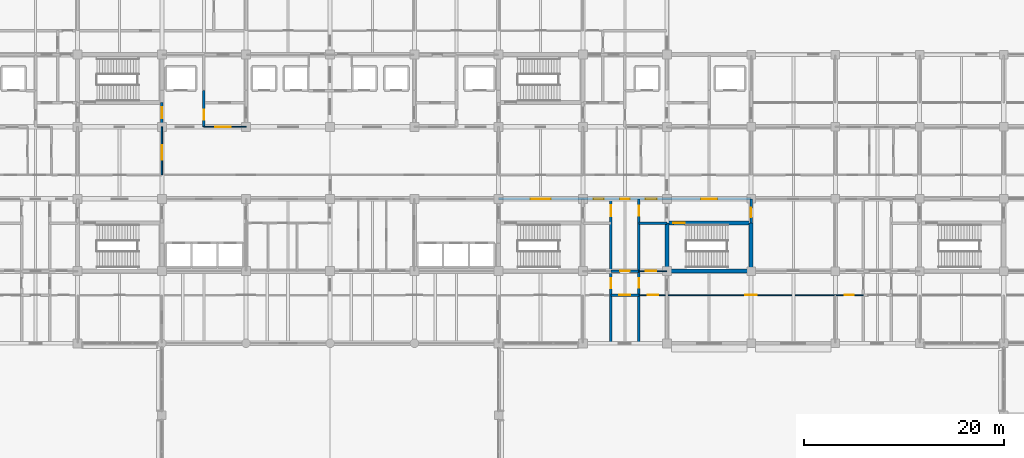
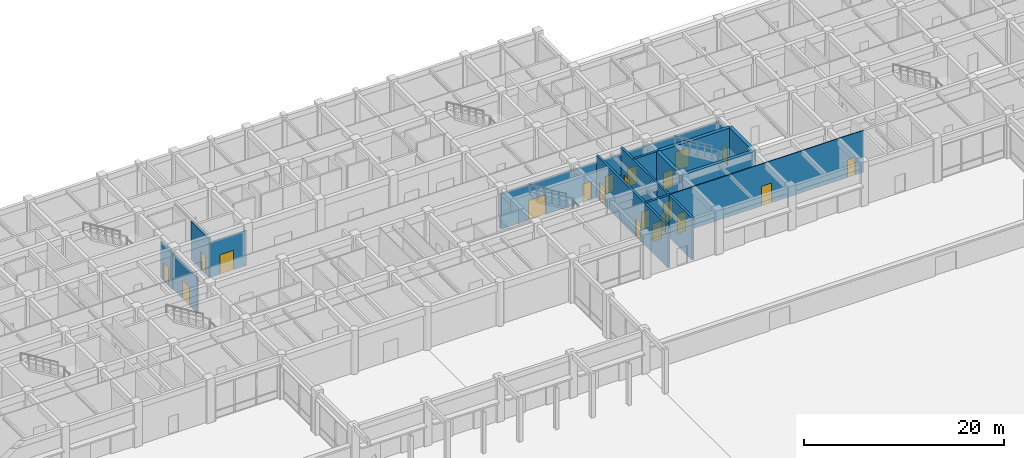
# One storey, part 49 of 73: 21 doors, 17 walls, 21 openings.
"""IFC4 building model written with IfcOpenShell, lengths in metres."""

from ifc_helpers import new_model, si_unit, direction, frame, frame_2d, origin, place, context, subcontext, project, spatial, rectangle, extrude, material, layer, layer_set, type_object, element, fill, save


model = new_model("IFC4")

# Units and contexts
model_context = context("Model", 3, precision=1e-05, world=origin(), true_north=direction((0.0, 1.0)))
body_context = subcontext(model_context, "Body", "Model", "MODEL_VIEW")
ifc_project = project(units=[si_unit("LENGTHUNIT", "METRE"), si_unit("AREAUNIT", "SQUARE_METRE"), si_unit("VOLUMEUNIT", "CUBIC_METRE"), si_unit("PLANEANGLEUNIT", "RADIAN"), si_unit("MASSUNIT", "GRAM", prefix="KILO")], contexts=[model_context])

# Site, building, storey
site_placement = place(None, origin())
site = spatial("IfcSite", under=ifc_project, at=site_placement, CompositionType="ELEMENT")
building_placement = place(site_placement, origin())
building = spatial("IfcBuilding", under=site, at=building_placement, Name="Chengyuan Square Courthouse", CompositionType="ELEMENT")
storey_placement = place(building_placement, origin())
storey = spatial("IfcBuildingStorey", under=building, at=storey_placement, Name="L01", CompositionType="ELEMENT", Elevation=0.0)

# Wall, opening, door
ifc_material_1 = material(Name="Concrete C40", Category="concrete")
ifc_layer_1 = layer(ifc_material_1, 0.25)
ifc_layer_set_1 = layer_set([ifc_layer_1], Name="Concrete C40")
wall_type_1 = type_object("IfcWallType", Name="WL-FW1", PredefinedType="STANDARD", material=ifc_layer_set_1)
wall_1_placement = place(storey_placement, frame((112.0, 84.0, 0.0), z_axis=(0.0, 0.0, 1.0), x_axis=(1.0, 0.0, 0.0)))
wall_1 = element("IfcWall", 1, at=wall_1_placement, inside=storey, type_object=wall_type_1, Name="Interior Wall WL-L01-I676", PredefinedType="STANDARD", context=body_context, shape_type="SweptSolid", body=[
    extrude(rectangle(XDim=2.800048828125, YDim=0.25, at=frame_2d((1.39990234375, 0.0))), origin(), (0.0, 0.0, 1.0), 5.1201171875),
])
opening_1_placement = place(wall_1_placement, frame((0.85009765625, 0.0, 0.0)))
opening_1 = element("IfcOpeningElement", 2, at=opening_1_placement, cuts=wall_1, Name="Opening DR-929", PredefinedType="OPENING", context=body_context, shape_type="SweptSolid", body=[
    extrude(rectangle(XDim=1.10009765625, YDim=2.199951171875, at=frame_2d((0.550048828125, 1.10009765625))), frame((0.0, 0.136962890625, 0.0), z_axis=(0.0, -1.0, 0.0), x_axis=(1.0, 0.0, 0.0)), (0.0, 0.0, 1.0), 0.27392578125),
])
ifc_material_2 = material(Name="Steel Q235B Fire Door", Category="steel")
door_type_1 = type_object("IfcDoorType", Name="DT-10", OperationType="NOTDEFINED", PredefinedType="DOOR", material=ifc_material_2)
door_1_placement = place(opening_1_placement, origin())
door_1 = element("IfcDoor", 3, at=door_1_placement, inside=storey, type_object=door_type_1, Name="Interior Door DR-929", OperationType="SINGLE_SWING_RIGHT", OverallHeight=2.199951171875, OverallWidth=1.10009765625, PredefinedType="DOOR", context=body_context, shape_type="SweptSolid", body=[
    extrude(rectangle(XDim=1.10009765625, YDim=2.199951171875, at=frame_2d((0.550048828125, 1.10009765625))), frame((0.0, 0.02490234375, 0.0), z_axis=(0.0, -1.0, 0.0), x_axis=(1.0, 0.0, 0.0)), (0.0, 0.0, 1.0), 0.050048828125),
])
fill(opening_1, door_1)

wall_2_placement = place(storey_placement, frame((112.0, 86.39990234375, 0.0), z_axis=(0.0, 0.0, 1.0), x_axis=(1.0, 0.0, 0.0)))
wall_2 = element("IfcWall", 4, at=wall_2_placement, inside=storey, type_object=wall_type_1, Name="Interior Wall WL-L01-I696", PredefinedType="STANDARD", context=body_context, shape_type="SweptSolid", body=[
    extrude(rectangle(XDim=2.800048828125, YDim=0.25, at=frame_2d((1.39990234375, 0.0))), origin(), (0.0, 0.0, 1.0), 4.27001953125),
])
opening_2_placement = place(wall_2_placement, frame((0.925048828125, 0.0, 0.0)))
opening_2 = element("IfcOpeningElement", 5, at=opening_2_placement, cuts=wall_2, Name="Opening DR-880", PredefinedType="OPENING", context=body_context, shape_type="SweptSolid", body=[
    extrude(rectangle(XDim=0.949951171875, YDim=2.14990234375, at=frame_2d((0.47509765625, 1.074951171875))), frame((0.0, 0.136962890625, 0.0), z_axis=(0.0, -1.0, 0.0), x_axis=(1.0, 0.0, 0.0)), (0.0, 0.0, 1.0), 0.27392578125),
])
door_type_2 = type_object("IfcDoorType", Name="DT-12", OperationType="NOTDEFINED", PredefinedType="DOOR", material=ifc_material_2)
door_2_placement = place(opening_2_placement, origin())
door_2 = element("IfcDoor", 6, at=door_2_placement, inside=storey, type_object=door_type_2, Name="Interior Door DR-880", OperationType="SINGLE_SWING_LEFT", OverallHeight=2.14990234375, OverallWidth=0.949951171875, PredefinedType="DOOR", context=body_context, shape_type="SweptSolid", body=[
    extrude(rectangle(XDim=0.949951171875, YDim=2.14990234375, at=frame_2d((0.47509765625, 1.074951171875))), frame((0.0, 0.02490234375, 0.0), z_axis=(0.0, -1.0, 0.0), x_axis=(1.0, 0.0, 0.0)), (0.0, 0.0, 1.0), 0.050048828125),
])
fill(opening_2, door_2)

# Wall
wall_3_placement = place(storey_placement, frame((114.800048828125, 91.199951171875, 0.0), z_axis=(0.0, 0.0, 1.0), x_axis=(1.0, 0.0, 0.0)))
element("IfcWall", 7, at=wall_3_placement, inside=storey, type_object=wall_type_1, Name="Interior Wall WL-L01-I721", PredefinedType="STANDARD", context=body_context, shape_type="SweptSolid", body=[
    extrude(rectangle(XDim=2.800048828125, YDim=0.25, at=frame_2d((1.39990234375, 0.0))), origin(), (0.0, 0.0, 1.0), 5.1201171875),
])

# Wall, openings, doors
wall_4_placement = place(storey_placement, frame((100.800048828125, 93.60009765625, 0.0), z_axis=(0.0, 0.0, 1.0), x_axis=(1.0, 0.0, 0.0)))
wall_4 = element("IfcWall", 8, at=wall_4_placement, inside=storey, type_object=wall_type_1, Name="Interior Wall WL-L01-I730", PredefinedType="STANDARD", context=body_context, shape_type="SweptSolid", body=[
    extrude(rectangle(XDim=25.199951171875, YDim=0.25, at=frame_2d((12.60009765625, 0.0))), origin(), (0.0, 0.0, 1.0), 4.27001953125),
])
opening_3_placement = place(wall_4_placement, frame((3.199951171875, 0.0, 0.0)))
opening_3 = element("IfcOpeningElement", 9, at=opening_3_placement, cuts=wall_4, Name="Opening DR-678", PredefinedType="OPENING", context=body_context, shape_type="SweptSolid", body=[
    extrude(rectangle(XDim=2.0, YDim=2.39990234375, at=frame_2d((1.0, 1.199951171875))), frame((0.0, 0.136962890625, 0.0), z_axis=(0.0, -1.0, 0.0), x_axis=(1.0, 0.0, 0.0)), (0.0, 0.0, 1.0), 0.27392578125),
])
opening_4_placement = place(wall_4_placement, frame((20.21240234375, 0.0, 0.0)))
opening_4 = element("IfcOpeningElement", 10, at=opening_4_placement, cuts=wall_4, Name="Opening DR-683", PredefinedType="OPENING", context=body_context, shape_type="SweptSolid", body=[
    extrude(rectangle(XDim=1.60009765625, YDim=2.300048828125, at=frame_2d((0.800048828125, 1.14990234375))), frame((0.0, 0.136962890625, 0.0), z_axis=(0.0, -1.0, 0.0), x_axis=(1.0, 0.0, 0.0)), (0.0, 0.0, 1.0), 0.27392578125),
])
opening_5_placement = place(wall_4_placement, frame((9.485107421875, 0.0, 0.0)))
opening_5 = element("IfcOpeningElement", 11, at=opening_5_placement, cuts=wall_4, Name="Opening DR-822", PredefinedType="OPENING", context=body_context, shape_type="SweptSolid", body=[
    extrude(rectangle(XDim=1.0, YDim=2.199951171875, at=frame_2d((0.5, 1.10009765625))), frame((0.0, 0.136962890625, 0.0), z_axis=(0.0, -1.0, 0.0), x_axis=(1.0, 0.0, 0.0)), (0.0, 0.0, 1.0), 0.27392578125),
])
opening_6_placement = place(wall_4_placement, frame((12.125, 0.0, 0.0)))
opening_6 = element("IfcOpeningElement", 12, at=opening_6_placement, cuts=wall_4, Name="Opening DR-823", PredefinedType="OPENING", context=body_context, shape_type="SweptSolid", body=[
    extrude(rectangle(XDim=0.949951171875, YDim=2.14990234375, at=frame_2d((0.47509765625, 1.074951171875))), frame((0.0, 0.136962890625, 0.0), z_axis=(0.0, -1.0, 0.0), x_axis=(1.0, 0.0, 0.0)), (0.0, 0.0, 1.0), 0.27392578125),
])
opening_7_placement = place(wall_4_placement, frame((14.6650390625, 0.0, 0.0)))
opening_7 = element("IfcOpeningElement", 13, at=opening_7_placement, cuts=wall_4, Name="Opening DR-824", PredefinedType="OPENING", context=body_context, shape_type="SweptSolid", body=[
    extrude(rectangle(XDim=1.10009765625, YDim=2.199951171875, at=frame_2d((0.550048828125, 1.10009765625))), frame((0.0, 0.136962890625, 0.0), z_axis=(0.0, -1.0, 0.0), x_axis=(1.0, 0.0, 0.0)), (0.0, 0.0, 1.0), 0.27392578125),
])
door_3_placement = place(opening_7_placement, origin())
door_3 = element("IfcDoor", 14, at=door_3_placement, inside=storey, type_object=door_type_1, Name="Interior Door DR-824", OperationType="SINGLE_SWING_LEFT", OverallHeight=2.199951171875, OverallWidth=1.10009765625, PredefinedType="DOOR", context=body_context, shape_type="SweptSolid", body=[
    extrude(rectangle(XDim=1.10009765625, YDim=2.199951171875, at=frame_2d((0.550048828125, 1.10009765625))), frame((0.0, 0.02490234375, 0.0), z_axis=(0.0, -1.0, 0.0), x_axis=(1.0, 0.0, 0.0)), (0.0, 0.0, 1.0), 0.050048828125),
])
fill(opening_7, door_3)
door_type_3 = type_object("IfcDoorType", Name="DT-11", OperationType="NOTDEFINED", PredefinedType="DOOR", material=ifc_material_2)
door_4_placement = place(opening_5_placement, origin())
door_4 = element("IfcDoor", 15, at=door_4_placement, inside=storey, type_object=door_type_3, Name="Interior Door DR-822", OperationType="SINGLE_SWING_LEFT", OverallHeight=2.199951171875, OverallWidth=1.0, PredefinedType="DOOR", context=body_context, shape_type="SweptSolid", body=[
    extrude(rectangle(XDim=1.0, YDim=2.199951171875, at=frame_2d((0.5, 1.10009765625))), frame((0.0, 0.02490234375, 0.0), z_axis=(0.0, -1.0, 0.0), x_axis=(1.0, 0.0, 0.0)), (0.0, 0.0, 1.0), 0.050048828125),
])
fill(opening_5, door_4)
door_5_placement = place(opening_6_placement, origin())
door_5 = element("IfcDoor", 16, at=door_5_placement, inside=storey, type_object=door_type_2, Name="Interior Door DR-823", OperationType="SINGLE_SWING_RIGHT", OverallHeight=2.14990234375, OverallWidth=0.949951171875, PredefinedType="DOOR", context=body_context, shape_type="SweptSolid", body=[
    extrude(rectangle(XDim=0.949951171875, YDim=2.14990234375, at=frame_2d((0.47509765625, 1.074951171875))), frame((0.0, 0.02490234375, 0.0), z_axis=(0.0, -1.0, 0.0), x_axis=(1.0, 0.0, 0.0)), (0.0, 0.0, 1.0), 0.050048828125),
])
fill(opening_6, door_5)
ifc_material_3 = material(Name="Steel Q235B Glazed Fire Door", Category="steel")
door_type_4 = type_object("IfcDoorType", Name="DT-17", OperationType="DOUBLE_DOOR_SINGLE_SWING", PredefinedType="DOOR", material=ifc_material_3)
door_6_placement = place(opening_4_placement, frame((1.60009765625, 0.0, 0.0), z_axis=(0.0, 0.0, 1.0), x_axis=(-1.0, 0.0, 0.0)))
door_6 = element("IfcDoor", 17, at=door_6_placement, inside=storey, type_object=door_type_4, Name="Interior Door DR-683", OperationType="DOUBLE_DOOR_SINGLE_SWING", OverallHeight=2.300048828125, OverallWidth=1.60009765625, PredefinedType="DOOR", context=body_context, shape_type="SweptSolid", body=[
    extrude(rectangle(XDim=1.60009765625, YDim=2.300048828125, at=frame_2d((0.800048828125, 1.14990234375))), frame((0.0, 0.02490234375, 0.0), z_axis=(0.0, -1.0, 0.0), x_axis=(1.0, 0.0, 0.0)), (0.0, 0.0, 1.0), 0.050048828125),
])
fill(opening_4, door_6)
door_type_5 = type_object("IfcDoorType", Name="DT-20", OperationType="DOUBLE_DOOR_SINGLE_SWING", PredefinedType="DOOR", material=ifc_material_3)
door_7_placement = place(opening_3_placement, frame((2.0, 0.0, 0.0), z_axis=(0.0, 0.0, 1.0), x_axis=(-1.0, 0.0, 0.0)))
door_7 = element("IfcDoor", 18, at=door_7_placement, inside=storey, type_object=door_type_5, Name="Interior Door DR-678", OperationType="DOUBLE_DOOR_SINGLE_SWING", OverallHeight=2.39990234375, OverallWidth=2.0, PredefinedType="DOOR", context=body_context, shape_type="SweptSolid", body=[
    extrude(rectangle(XDim=2.0, YDim=2.39990234375, at=frame_2d((1.0, 1.199951171875))), frame((0.0, 0.02490234375, 0.0), z_axis=(0.0, -1.0, 0.0), x_axis=(1.0, 0.0, 0.0)), (0.0, 0.0, 1.0), 0.050048828125),
])
fill(opening_3, door_7)

# Wall, opening, door
wall_5_placement = place(storey_placement, frame((67.199951171875, 100.800048828125, 0.0), z_axis=(0.0, 0.0, 1.0), x_axis=(0.0, 1.0, 0.0)))
wall_5 = element("IfcWall", 19, at=wall_5_placement, inside=storey, type_object=wall_type_1, Name="Interior Wall WL-L01-I890", PredefinedType="STANDARD", context=body_context, shape_type="SweptSolid", body=[
    extrude(rectangle(XDim=2.39990234375, YDim=0.25, at=frame_2d((1.199951171875, 0.0))), origin(), (0.0, 0.0, 1.0), 4.3701171875),
])
opening_8_placement = place(wall_5_placement, frame((0.8349609375, 0.0, 0.0)))
opening_8 = element("IfcOpeningElement", 20, at=opening_8_placement, cuts=wall_5, Name="Opening DR-668", PredefinedType="OPENING", context=body_context, shape_type="SweptSolid", body=[
    extrude(rectangle(XDim=1.10009765625, YDim=2.199951171875, at=frame_2d((0.550048828125, 1.10009765625))), frame((0.0, 0.136962890625, 0.0), z_axis=(0.0, -1.0, 0.0), x_axis=(1.0, 0.0, 0.0)), (0.0, 0.0, 1.0), 0.27392578125),
])
door_8_placement = place(opening_8_placement, origin())
door_8 = element("IfcDoor", 21, at=door_8_placement, inside=storey, type_object=door_type_1, Name="Interior Door DR-668", OperationType="SINGLE_SWING_LEFT", OverallHeight=2.199951171875, OverallWidth=1.10009765625, PredefinedType="DOOR", context=body_context, shape_type="SweptSolid", body=[
    extrude(rectangle(XDim=1.10009765625, YDim=2.199951171875, at=frame_2d((0.550048828125, 1.10009765625))), frame((0.0, 0.02490234375, 0.0), z_axis=(0.0, -1.0, 0.0), x_axis=(1.0, 0.0, 0.0)), (0.0, 0.0, 1.0), 0.050048828125),
])
fill(opening_8, door_8)

wall_6_placement = place(storey_placement, frame((71.39990234375, 100.800048828125, 0.0), z_axis=(0.0, 0.0, 1.0), x_axis=(0.0, 1.0, 0.0)))
wall_6 = element("IfcWall", 22, at=wall_6_placement, inside=storey, type_object=wall_type_1, Name="Interior Wall WL-L01-I897", PredefinedType="STANDARD", context=body_context, shape_type="SweptSolid", body=[
    extrude(rectangle(XDim=3.599853515625, YDim=0.25, at=frame_2d((1.7998046875, 0.0))), origin(), (0.0, 0.0, 1.0), 4.719970703125),
])
opening_9_placement = place(wall_6_placement, frame((0.699951171875, 0.0, 0.0)))
opening_9 = element("IfcOpeningElement", 23, at=opening_9_placement, cuts=wall_6, Name="Opening DR-711", PredefinedType="OPENING", context=body_context, shape_type="SweptSolid", body=[
    extrude(rectangle(XDim=1.0, YDim=2.199951171875, at=frame_2d((0.5, 1.10009765625))), frame((0.0, 0.136962890625, 0.0), z_axis=(0.0, -1.0, 0.0), x_axis=(1.0, 0.0, 0.0)), (0.0, 0.0, 1.0), 0.27392578125),
])
door_9_placement = place(opening_9_placement, origin())
door_9 = element("IfcDoor", 24, at=door_9_placement, inside=storey, type_object=door_type_3, Name="Interior Door DR-711", OperationType="SINGLE_SWING_RIGHT", OverallHeight=2.199951171875, OverallWidth=1.0, PredefinedType="DOOR", context=body_context, shape_type="SweptSolid", body=[
    extrude(rectangle(XDim=1.0, YDim=2.199951171875, at=frame_2d((0.5, 1.10009765625))), frame((0.0, 0.02490234375, 0.0), z_axis=(0.0, -1.0, 0.0), x_axis=(1.0, 0.0, 0.0)), (0.0, 0.0, 1.0), 0.050048828125),
])
fill(opening_9, door_9)

# Wall, openings, doors
wall_7_placement = place(storey_placement, frame((112.0, 79.239990234375, 0.0), z_axis=(0.0, 0.0, 1.0), x_axis=(0.0, 1.0, 0.0)))
wall_7 = element("IfcWall", 25, at=wall_7_placement, inside=storey, type_object=wall_type_1, Name="Interior Wall WL-L01-I954", PredefinedType="STANDARD", context=body_context, shape_type="SweptSolid", body=[
    extrude(rectangle(XDim=14.360107421875, YDim=0.25, at=frame_2d((7.18017578125, 0.0))), origin(), (0.0, 0.0, 1.0), 5.1201171875),
])
opening_10_placement = place(wall_7_placement, frame((12.610107421875, 0.0, 0.0)))
opening_10 = element("IfcOpeningElement", 26, at=opening_10_placement, cuts=wall_7, Name="Opening DR-878", PredefinedType="OPENING", context=body_context, shape_type="SweptSolid", body=[
    extrude(rectangle(XDim=1.10009765625, YDim=2.199951171875, at=frame_2d((0.550048828125, 1.10009765625))), frame((0.0, 0.136962890625, 0.0), z_axis=(0.0, -1.0, 0.0), x_axis=(1.0, 0.0, 0.0)), (0.0, 0.0, 1.0), 0.27392578125),
])
opening_11_placement = place(wall_7_placement, frame((5.4599609375, 0.0, 0.0)))
opening_11 = element("IfcOpeningElement", 27, at=opening_11_placement, cuts=wall_7, Name="Opening DR-924", PredefinedType="OPENING", context=body_context, shape_type="SweptSolid", body=[
    extrude(rectangle(XDim=1.0, YDim=2.199951171875, at=frame_2d((0.5, 1.10009765625))), frame((0.0, 0.136962890625, 0.0), z_axis=(0.0, -1.0, 0.0), x_axis=(1.0, 0.0, 0.0)), (0.0, 0.0, 1.0), 0.27392578125),
])
door_10_placement = place(opening_10_placement, origin())
door_10 = element("IfcDoor", 28, at=door_10_placement, inside=storey, type_object=door_type_1, Name="Interior Door DR-878", OperationType="SINGLE_SWING_LEFT", OverallHeight=2.199951171875, OverallWidth=1.10009765625, PredefinedType="DOOR", context=body_context, shape_type="SweptSolid", body=[
    extrude(rectangle(XDim=1.10009765625, YDim=2.199951171875, at=frame_2d((0.550048828125, 1.10009765625))), frame((0.0, 0.02490234375, 0.0), z_axis=(0.0, -1.0, 0.0), x_axis=(1.0, 0.0, 0.0)), (0.0, 0.0, 1.0), 0.050048828125),
])
fill(opening_10, door_10)
door_11_placement = place(opening_11_placement, origin())
door_11 = element("IfcDoor", 29, at=door_11_placement, inside=storey, type_object=door_type_3, Name="Interior Door DR-924", OperationType="SINGLE_SWING_RIGHT", OverallHeight=2.199951171875, OverallWidth=1.0, PredefinedType="DOOR", context=body_context, shape_type="SweptSolid", body=[
    extrude(rectangle(XDim=1.0, YDim=2.199951171875, at=frame_2d((0.5, 1.10009765625))), frame((0.0, 0.02490234375, 0.0), z_axis=(0.0, -1.0, 0.0), x_axis=(1.0, 0.0, 0.0)), (0.0, 0.0, 1.0), 0.050048828125),
])
fill(opening_11, door_11)

wall_8_placement = place(storey_placement, frame((114.800048828125, 79.239990234375, 0.0), z_axis=(0.0, 0.0, 1.0), x_axis=(0.0, 1.0, 0.0)))
wall_8 = element("IfcWall", 30, at=wall_8_placement, inside=storey, type_object=wall_type_1, Name="Interior Wall WL-L01-I959", PredefinedType="STANDARD", context=body_context, shape_type="SweptSolid", body=[
    extrude(rectangle(XDim=14.360107421875, YDim=0.25, at=frame_2d((7.18017578125, 0.0))), origin(), (0.0, 0.0, 1.0), 5.1201171875),
])
opening_12_placement = place(wall_8_placement, frame((12.659912109375, 0.0, 0.0)))
opening_12 = element("IfcOpeningElement", 31, at=opening_12_placement, cuts=wall_8, Name="Opening DR-879", PredefinedType="OPENING", context=body_context, shape_type="SweptSolid", body=[
    extrude(rectangle(XDim=1.0, YDim=2.199951171875, at=frame_2d((0.5, 1.10009765625))), frame((0.0, 0.136962890625, 0.0), z_axis=(0.0, -1.0, 0.0), x_axis=(1.0, 0.0, 0.0)), (0.0, 0.0, 1.0), 0.27392578125),
])
opening_13_placement = place(wall_8_placement, frame((5.485107421875, 0.0, 0.0)))
opening_13 = element("IfcOpeningElement", 32, at=opening_13_placement, cuts=wall_8, Name="Opening DR-928", PredefinedType="OPENING", context=body_context, shape_type="SweptSolid", body=[
    extrude(rectangle(XDim=0.949951171875, YDim=2.14990234375, at=frame_2d((0.47509765625, 1.074951171875))), frame((0.0, 0.136962890625, 0.0), z_axis=(0.0, -1.0, 0.0), x_axis=(1.0, 0.0, 0.0)), (0.0, 0.0, 1.0), 0.27392578125),
])
door_12_placement = place(opening_12_placement, origin())
door_12 = element("IfcDoor", 33, at=door_12_placement, inside=storey, type_object=door_type_3, Name="Interior Door DR-879", OperationType="SINGLE_SWING_RIGHT", OverallHeight=2.199951171875, OverallWidth=1.0, PredefinedType="DOOR", context=body_context, shape_type="SweptSolid", body=[
    extrude(rectangle(XDim=1.0, YDim=2.199951171875, at=frame_2d((0.5, 1.10009765625))), frame((0.0, 0.02490234375, 0.0), z_axis=(0.0, -1.0, 0.0), x_axis=(1.0, 0.0, 0.0)), (0.0, 0.0, 1.0), 0.050048828125),
])
fill(opening_12, door_12)
door_13_placement = place(opening_13_placement, origin())
door_13 = element("IfcDoor", 34, at=door_13_placement, inside=storey, type_object=door_type_2, Name="Interior Door DR-928", OperationType="SINGLE_SWING_LEFT", OverallHeight=2.14990234375, OverallWidth=0.949951171875, PredefinedType="DOOR", context=body_context, shape_type="SweptSolid", body=[
    extrude(rectangle(XDim=0.949951171875, YDim=2.14990234375, at=frame_2d((0.47509765625, 1.074951171875))), frame((0.0, 0.02490234375, 0.0), z_axis=(0.0, -1.0, 0.0), x_axis=(1.0, 0.0, 0.0)), (0.0, 0.0, 1.0), 0.050048828125),
])
fill(opening_13, door_13)

# Wall, opening, door
wall_9_placement = place(storey_placement, frame((126.0, 91.199951171875, 0.0), z_axis=(0.0, 0.0, 1.0), x_axis=(0.0, 1.0, 0.0)))
wall_9 = element("IfcWall", 35, at=wall_9_placement, inside=storey, type_object=wall_type_1, Name="Interior Wall WL-L01-I971", PredefinedType="STANDARD", context=body_context, shape_type="SweptSolid", body=[
    extrude(rectangle(XDim=2.400146484375, YDim=0.25, at=frame_2d((1.2001953125, 0.0))), origin(), (0.0, 0.0, 1.0), 4.3701171875),
])
opening_14_placement = place(wall_9_placement, frame((0.552490234375, 0.0, 0.0)))
opening_14 = element("IfcOpeningElement", 36, at=opening_14_placement, cuts=wall_9, Name="Opening DR-685", PredefinedType="OPENING", context=body_context, shape_type="SweptSolid", body=[
    extrude(rectangle(XDim=0.949951171875, YDim=2.14990234375, at=frame_2d((0.47509765625, 1.074951171875))), frame((0.0, 0.136962890625, 0.0), z_axis=(0.0, -1.0, 0.0), x_axis=(1.0, 0.0, 0.0)), (0.0, 0.0, 1.0), 0.27392578125),
])
door_14_placement = place(opening_14_placement, origin())
door_14 = element("IfcDoor", 37, at=door_14_placement, inside=storey, type_object=door_type_2, Name="Interior Door DR-685", OperationType="SINGLE_SWING_RIGHT", OverallHeight=2.14990234375, OverallWidth=0.949951171875, PredefinedType="DOOR", context=body_context, shape_type="SweptSolid", body=[
    extrude(rectangle(XDim=0.949951171875, YDim=2.14990234375, at=frame_2d((0.47509765625, 1.074951171875))), frame((0.0, 0.02490234375, 0.0), z_axis=(0.0, -1.0, 0.0), x_axis=(1.0, 0.0, 0.0)), (0.0, 0.0, 1.0), 0.050048828125),
])
fill(opening_14, door_14)

ifc_material_4 = material(Name="Deliberation Room Sound-Insulated Partition")
ifc_layer_2 = layer(ifc_material_4, 0.14990234375)
ifc_layer_set_2 = layer_set([ifc_layer_2], Name="Deliberation Room Sound-Insulated Partition")
wall_type_2 = type_object("IfcWallType", Name="WL-PT3", PredefinedType="STANDARD", material=ifc_layer_set_2)
wall_10_placement = place(storey_placement, frame((67.199951171875, 96.0, 0.0), z_axis=(0.0, 0.0, 1.0), x_axis=(0.0, 1.0, 0.0)))
wall_10 = element("IfcWall", 38, at=wall_10_placement, inside=storey, type_object=wall_type_2, Name="Interior Wall WL-L01-I889", PredefinedType="STANDARD", context=body_context, shape_type="SweptSolid", body=[
    extrude(rectangle(XDim=4.800048828125, YDim=0.14990234375, at=frame_2d((2.39990234375, 0.0))), origin(), (0.0, 0.0, 1.0), 4.3701171875),
])
opening_15_placement = place(wall_10_placement, frame((1.489990234375, 0.0, 0.0)))
opening_15 = element("IfcOpeningElement", 39, at=opening_15_placement, cuts=wall_10, Name="Opening DR-849", PredefinedType="OPENING", context=body_context, shape_type="SweptSolid", body=[
    extrude(rectangle(XDim=1.449951171875, YDim=2.300048828125, at=frame_2d((0.72509765625, 1.14990234375))), frame((0.0, 0.0869140625, 0.0), z_axis=(0.0, -1.0, 0.0), x_axis=(1.0, 0.0, 0.0)), (0.0, 0.0, 1.0), 0.173828125),
])
ifc_material_5 = material(Name="Acoustic Larch Veneer Double Door")
door_type_6 = type_object("IfcDoorType", Name="DT-25", OperationType="DOUBLE_DOOR_SINGLE_SWING", PredefinedType="DOOR", material=ifc_material_5)
door_15_placement = place(opening_15_placement, frame((1.449951171875, 0.0, 0.0), z_axis=(0.0, 0.0, 1.0), x_axis=(-1.0, 0.0, 0.0)))
door_15 = element("IfcDoor", 40, at=door_15_placement, inside=storey, type_object=door_type_6, Name="Interior Door DR-849", OperationType="DOUBLE_DOOR_SINGLE_SWING", OverallHeight=2.300048828125, OverallWidth=1.449951171875, PredefinedType="DOOR", context=body_context, shape_type="SweptSolid", body=[
    extrude(rectangle(XDim=1.449951171875, YDim=2.300048828125, at=frame_2d((0.72509765625, 1.14990234375))), frame((0.0, 0.02490234375, 0.0), z_axis=(0.0, -1.0, 0.0), x_axis=(1.0, 0.0, 0.0)), (0.0, 0.0, 1.0), 0.050048828125),
])
fill(opening_15, door_15)

# Wall, openings, doors
ifc_material_6 = material(Name="Gypsum Plasterboard Acoustic Stud Partition")
ifc_layer_3 = layer(ifc_material_6, 0.10009765625)
ifc_layer_set_3 = layer_set([ifc_layer_3], Name="Gypsum Plasterboard Acoustic Stud Partition")
wall_type_3 = type_object("IfcWallType", Name="WL-PT6", PredefinedType="STANDARD", material=ifc_layer_set_3)
wall_11_placement = place(storey_placement, frame((114.800048828125, 84.0, 0.0), z_axis=(0.0, 0.0, 1.0), x_axis=(1.0, 0.0, 0.0)))
wall_11 = element("IfcWall", 41, at=wall_11_placement, inside=storey, type_object=wall_type_3, Name="Interior Wall WL-L01-I677", PredefinedType="STANDARD", context=body_context, shape_type="SweptSolid", body=[
    extrude(rectangle(XDim=22.39990234375, YDim=0.10009765625, at=frame_2d((11.199951171875, 0.0))), origin(), (0.0, 0.0, 1.0), 5.1201171875),
])
opening_16_placement = place(wall_11_placement, frame((0.889892578125, 0.0, 0.0)))
opening_16 = element("IfcOpeningElement", 42, at=opening_16_placement, cuts=wall_11, Name="Opening DR-931", PredefinedType="OPENING", context=body_context, shape_type="SweptSolid", body=[
    extrude(rectangle(XDim=1.02001953125, YDim=2.39990234375, at=frame_2d((0.510009765625, 1.199951171875))), frame((0.0, 0.06201171875, 0.0), z_axis=(0.0, -1.0, 0.0), x_axis=(1.0, 0.0, 0.0)), (0.0, 0.0, 1.0), 0.1240234375),
])
opening_17_placement = place(wall_11_placement, frame((10.6298828125, 0.0, 0.0)))
opening_17 = element("IfcOpeningElement", 43, at=opening_17_placement, cuts=wall_11, Name="Opening DR-933", PredefinedType="OPENING", context=body_context, shape_type="SweptSolid", body=[
    extrude(rectangle(XDim=1.139892578125, YDim=2.39990234375, at=frame_2d((0.56982421875, 1.199951171875))), frame((0.0, 0.06201171875, 0.0), z_axis=(0.0, -1.0, 0.0), x_axis=(1.0, 0.0, 0.0)), (0.0, 0.0, 1.0), 0.1240234375),
])
opening_18_placement = place(wall_11_placement, frame((20.550048828125, 0.0, 0.0)))
opening_18 = element("IfcOpeningElement", 44, at=opening_18_placement, cuts=wall_11, Name="Opening DR-934", PredefinedType="OPENING", context=body_context, shape_type="SweptSolid", body=[
    extrude(rectangle(XDim=0.89990234375, YDim=2.14990234375, at=frame_2d((0.449951171875, 1.074951171875))), frame((0.0, 0.06201171875, 0.0), z_axis=(0.0, -1.0, 0.0), x_axis=(1.0, 0.0, 0.0)), (0.0, 0.0, 1.0), 0.1240234375),
])
ifc_material_7 = material(Name="Acoustic Solid-Core Timber Door", Category="wood")
door_type_7 = type_object("IfcDoorType", Name="DT-27", OperationType="NOTDEFINED", PredefinedType="DOOR", material=ifc_material_7)
door_16_placement = place(opening_18_placement, origin())
door_16 = element("IfcDoor", 45, at=door_16_placement, inside=storey, type_object=door_type_7, Name="Interior Door DR-934", OperationType="SINGLE_SWING_LEFT", OverallHeight=2.14990234375, OverallWidth=0.89990234375, PredefinedType="DOOR", context=body_context, shape_type="SweptSolid", body=[
    extrude(rectangle(XDim=0.89990234375, YDim=2.14990234375, at=frame_2d((0.449951171875, 1.074951171875))), frame((0.0, 0.02490234375, 0.0), z_axis=(0.0, -1.0, 0.0), x_axis=(1.0, 0.0, 0.0)), (0.0, 0.0, 1.0), 0.050048828125),
])
fill(opening_18, door_16)
door_type_8 = type_object("IfcDoorType", Name="DT-41", OperationType="NOTDEFINED", PredefinedType="DOOR", material=ifc_material_7)
door_17_placement = place(opening_16_placement, origin())
door_17 = element("IfcDoor", 46, at=door_17_placement, inside=storey, type_object=door_type_8, Name="Interior Door DR-931", OperationType="SINGLE_SWING_RIGHT", OverallHeight=2.39990234375, OverallWidth=1.02001953125, PredefinedType="DOOR", context=body_context, shape_type="SweptSolid", body=[
    extrude(rectangle(XDim=1.02001953125, YDim=2.39990234375, at=frame_2d((0.510009765625, 1.199951171875))), frame((0.0, 0.02490234375, 0.0), z_axis=(0.0, -1.0, 0.0), x_axis=(1.0, 0.0, 0.0)), (0.0, 0.0, 1.0), 0.050048828125),
])
fill(opening_16, door_17)
door_type_9 = type_object("IfcDoorType", Name="DT-43", OperationType="NOTDEFINED", PredefinedType="DOOR", material=ifc_material_7)
door_18_placement = place(opening_17_placement, origin())
door_18 = element("IfcDoor", 47, at=door_18_placement, inside=storey, type_object=door_type_9, Name="Interior Door DR-933", OperationType="SINGLE_SWING_RIGHT", OverallHeight=2.39990234375, OverallWidth=1.139892578125, PredefinedType="DOOR", context=body_context, shape_type="SweptSolid", body=[
    extrude(rectangle(XDim=1.139892578125, YDim=2.39990234375, at=frame_2d((0.56982421875, 1.199951171875))), frame((0.0, 0.02490234375, 0.0), z_axis=(0.0, -1.0, 0.0), x_axis=(1.0, 0.0, 0.0)), (0.0, 0.0, 1.0), 0.050048828125),
])
fill(opening_17, door_18)

# Wall, opening, door
wall_12_placement = place(storey_placement, frame((114.800048828125, 86.39990234375, 0.0), z_axis=(0.0, 0.0, 1.0), x_axis=(1.0, 0.0, 0.0)))
wall_12 = element("IfcWall", 48, at=wall_12_placement, inside=storey, type_object=wall_type_3, Name="Interior Wall WL-L01-I697", PredefinedType="STANDARD", context=body_context, shape_type="SweptSolid", body=[
    extrude(rectangle(XDim=2.800048828125, YDim=0.10009765625, at=frame_2d((1.39990234375, 0.0))), origin(), (0.0, 0.0, 1.0), 4.27001953125),
])
opening_19_placement = place(wall_12_placement, frame((0.68505859375, 0.0, 0.0)))
opening_19 = element("IfcOpeningElement", 49, at=opening_19_placement, cuts=wall_12, Name="Opening DR-881", PredefinedType="OPENING", context=body_context, shape_type="SweptSolid", body=[
    extrude(rectangle(XDim=1.06005859375, YDim=2.39990234375, at=frame_2d((0.530029296875, 1.199951171875))), frame((0.0, 0.06201171875, 0.0), z_axis=(0.0, -1.0, 0.0), x_axis=(1.0, 0.0, 0.0)), (0.0, 0.0, 1.0), 0.1240234375),
])
door_type_10 = type_object("IfcDoorType", Name="DT-42", OperationType="NOTDEFINED", PredefinedType="DOOR", material=ifc_material_7)
door_19_placement = place(opening_19_placement, origin())
door_19 = element("IfcDoor", 50, at=door_19_placement, inside=storey, type_object=door_type_10, Name="Interior Door DR-881", OperationType="SINGLE_SWING_RIGHT", OverallHeight=2.39990234375, OverallWidth=1.06005859375, PredefinedType="DOOR", context=body_context, shape_type="SweptSolid", body=[
    extrude(rectangle(XDim=1.06005859375, YDim=2.39990234375, at=frame_2d((0.530029296875, 1.199951171875))), frame((0.0, 0.02490234375, 0.0), z_axis=(0.0, -1.0, 0.0), x_axis=(1.0, 0.0, 0.0)), (0.0, 0.0, 1.0), 0.050048828125),
])
fill(opening_19, door_19)

wall_13_placement = place(storey_placement, frame((71.39990234375, 100.800048828125, 0.0), z_axis=(0.0, 0.0, 1.0), x_axis=(1.0, 0.0, 0.0)))
wall_13 = element("IfcWall", 51, at=wall_13_placement, inside=storey, type_object=wall_type_3, Name="Interior Wall WL-L01-I758", PredefinedType="STANDARD", context=body_context, shape_type="SweptSolid", body=[
    extrude(rectangle(XDim=4.2001953125, YDim=0.10009765625, at=frame_2d((2.10009765625, 0.0))), origin(), (0.0, 0.0, 1.0), 4.27001953125),
])
opening_20_placement = place(wall_13_placement, frame((1.139892578125, 0.0, 0.0)))
opening_20 = element("IfcOpeningElement", 52, at=opening_20_placement, cuts=wall_13, Name="Opening DR-715", PredefinedType="OPENING", context=body_context, shape_type="SweptSolid", body=[
    extrude(rectangle(XDim=1.550048828125, YDim=2.35009765625, at=frame_2d((0.77490234375, 1.175048828125))), frame((0.0, 0.06201171875, 0.0), z_axis=(0.0, -1.0, 0.0), x_axis=(1.0, 0.0, 0.0)), (0.0, 0.0, 1.0), 0.1240234375),
])
door_type_11 = type_object("IfcDoorType", Name="DT-23", OperationType="DOUBLE_DOOR_SINGLE_SWING", PredefinedType="DOOR", material=ifc_material_5)
door_20_placement = place(opening_20_placement, frame((1.550048828125, 0.0, 0.0), z_axis=(0.0, 0.0, 1.0), x_axis=(-1.0, 0.0, 0.0)))
door_20 = element("IfcDoor", 53, at=door_20_placement, inside=storey, type_object=door_type_11, Name="Interior Door DR-715", OperationType="DOUBLE_DOOR_SINGLE_SWING", OverallHeight=2.35009765625, OverallWidth=1.550048828125, PredefinedType="DOOR", context=body_context, shape_type="SweptSolid", body=[
    extrude(rectangle(XDim=1.550048828125, YDim=2.35009765625, at=frame_2d((0.77490234375, 1.175048828125))), frame((0.0, 0.02490234375, 0.0), z_axis=(0.0, -1.0, 0.0), x_axis=(1.0, 0.0, 0.0)), (0.0, 0.0, 1.0), 0.050048828125),
])
fill(opening_20, door_20)

# Wall
ifc_material_8 = material(Name="Concrete C50", Category="concrete")
ifc_layer_4 = layer(ifc_material_8, 0.39990234375)
ifc_layer_set_4 = layer_set([ifc_layer_4], Name="Concrete C50")
wall_type_4 = type_object("IfcWallType", Name="WL-SW1", PredefinedType="SHEAR", material=ifc_layer_set_4)
wall_14_placement = place(storey_placement, frame((117.60009765625, 86.39990234375, 0.0), z_axis=(0.0, 0.0, 1.0), x_axis=(1.0, 0.0, 0.0)))
element("IfcWall", 54, at=wall_14_placement, inside=storey, type_object=wall_type_4, Name="Interior Wall WL-L01-I698", PredefinedType="SHEAR", context=body_context, shape_type="SweptSolid", body=[
    extrude(rectangle(XDim=8.39990234375, YDim=0.39990234375, at=frame_2d((4.199951171875, 0.0))), origin(), (0.0, 0.0, 1.0), 5.1201171875),
])

# Wall, opening, door
wall_15_placement = place(storey_placement, frame((117.60009765625, 91.199951171875, 0.0), z_axis=(0.0, 0.0, 1.0), x_axis=(1.0, 0.0, 0.0)))
wall_15 = element("IfcWall", 55, at=wall_15_placement, inside=storey, type_object=wall_type_4, Name="Interior Wall WL-L01-I722", PredefinedType="SHEAR", context=body_context, shape_type="SweptSolid", body=[
    extrude(rectangle(XDim=8.39990234375, YDim=0.39990234375, at=frame_2d((4.199951171875, 0.0))), origin(), (0.0, 0.0, 1.0), 5.1201171875),
])
opening_21_placement = place(wall_15_placement, frame((0.64990234375, 0.0, 0.0)))
opening_21 = element("IfcOpeningElement", 56, at=opening_21_placement, cuts=wall_15, Name="Opening DR-663", PredefinedType="OPENING", context=body_context, shape_type="SweptSolid", body=[
    extrude(rectangle(XDim=1.10009765625, YDim=2.199951171875, at=frame_2d((0.550048828125, 1.10009765625))), frame((0.0, 0.2119140625, 0.0), z_axis=(0.0, -1.0, 0.0), x_axis=(1.0, 0.0, 0.0)), (0.0, 0.0, 1.0), 0.423828125),
])
door_21_placement = place(opening_21_placement, origin())
door_21 = element("IfcDoor", 57, at=door_21_placement, inside=storey, type_object=door_type_1, Name="Smoke-Proof Stairwell Fire Door ST-6 DR-663", OperationType="SINGLE_SWING_RIGHT", OverallHeight=2.199951171875, OverallWidth=1.10009765625, PredefinedType="DOOR", context=body_context, shape_type="SweptSolid", body=[
    extrude(rectangle(XDim=1.10009765625, YDim=2.199951171875, at=frame_2d((0.550048828125, 1.10009765625))), frame((0.0, 0.02490234375, 0.0), z_axis=(0.0, -1.0, 0.0), x_axis=(1.0, 0.0, 0.0)), (0.0, 0.0, 1.0), 0.050048828125),
])
fill(opening_21, door_21)

# Walls
for number, where, z_axis, x_axis, name in (
    (58, (117.60009765625, 86.39990234375, 0.0), (0.0, 0.0, 1.0), (0.0, 1.0, 0.0), "Interior Wall WL-L01-I963"),
    (59, (126.0, 86.39990234375, 0.0), (0.0, 0.0, 1.0), (0.0, 1.0, 0.0), "Interior Wall WL-L01-I970"),
):
    element("IfcWall", number, at=place(storey_placement, frame(where, z_axis=z_axis, x_axis=x_axis)), inside=storey, type_object=wall_type_4, Name=name, PredefinedType="SHEAR", context=body_context, shape_type="SweptSolid", body=[
        extrude(rectangle(XDim=4.800048828125, YDim=0.39990234375, at=frame_2d((2.39990234375, 0.0))), origin(), (0.0, 0.0, 1.0), 5.1201171875),
    ])

save(model, "model.ifc")
